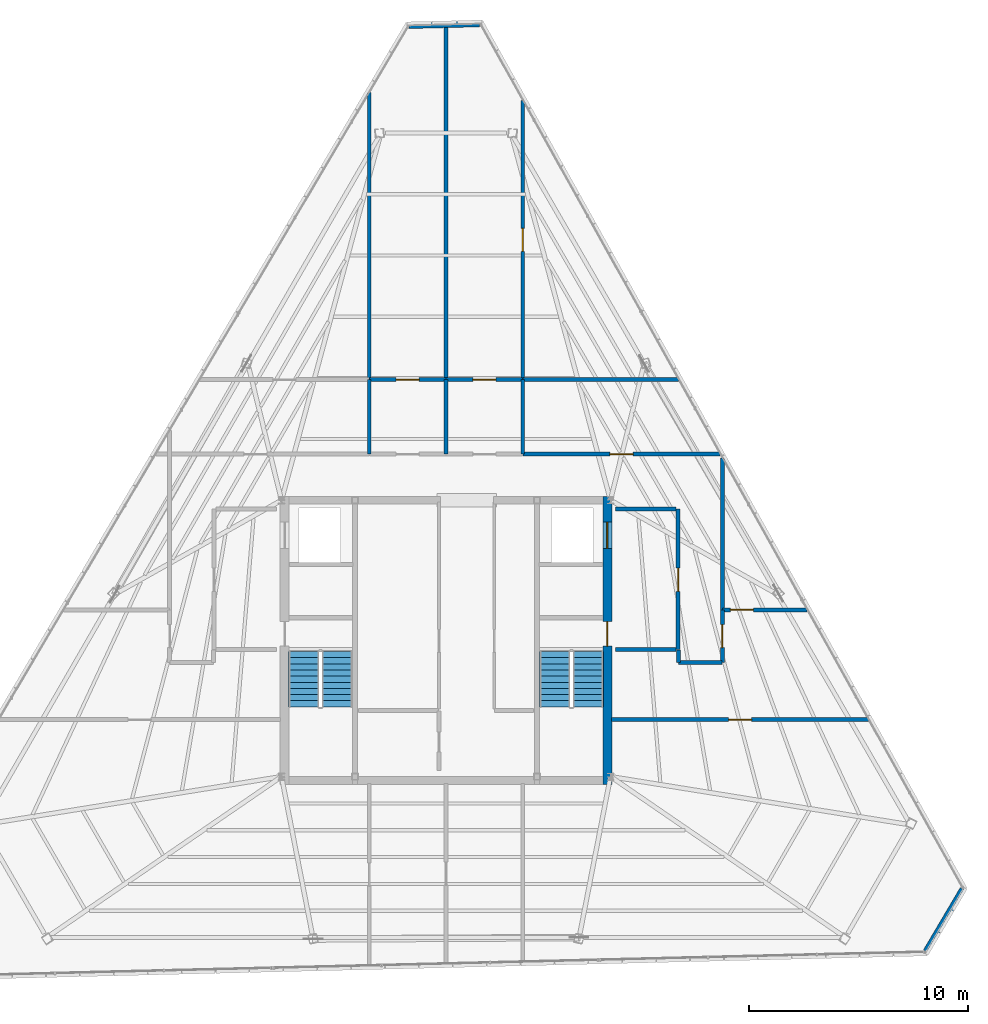
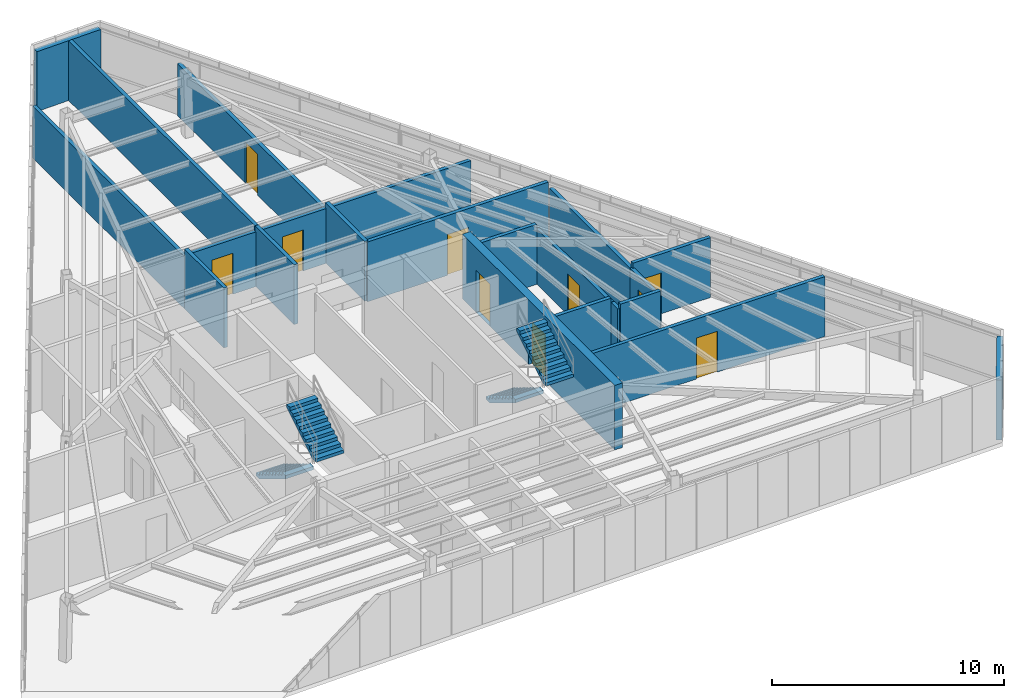
# One storey, part 41 of 44: 22 walls, 10 doors, 4 stair flights, 10 openings, 2 elements without a shape of their own.
"""IFC4 building model written with IfcOpenShell, lengths in metres."""

from ifc_helpers import new_model, si_unit, direction, frame, frame_2d, origin, place, context, subcontext, project, spatial, polyline, rectangle, outline, extrude, material, layer, layer_set, type_object, element, fill, aggregate, save


model = new_model("IFC4")

# Units and contexts
model_context = context("Model", 3, precision=1e-05, world=origin(), true_north=direction((0.0, 1.0)))
body_context = subcontext(model_context, "Body", "Model", "MODEL_VIEW")
ifc_project = project(units=[si_unit("LENGTHUNIT", "METRE"), si_unit("AREAUNIT", "SQUARE_METRE"), si_unit("VOLUMEUNIT", "CUBIC_METRE"), si_unit("PLANEANGLEUNIT", "RADIAN"), si_unit("MASSUNIT", "GRAM", prefix="KILO")], contexts=[model_context])

# Site, building, storey
site_placement = place(None, origin())
site = spatial("IfcSite", under=ifc_project, at=site_placement, CompositionType="ELEMENT")
building_placement = place(site_placement, origin())
building = spatial("IfcBuilding", under=site, at=building_placement, Name="Caelisora Broadcast Tower", CompositionType="ELEMENT")
storey_placement = place(building_placement, frame((0.0, 0.0, 289.800048828125)))
storey = spatial("IfcBuildingStorey", under=building, at=storey_placement, Name="L76", CompositionType="ELEMENT", Elevation=289.800048828125)

# Wall, openings, doors
ifc_material_1 = material(Name="Concrete 40 MPa (AS 3600 N40)", Category="concrete")
ifc_layer_1 = layer(ifc_material_1, 0.39990234375, Name="Concrete 40 MPa (AS 3600 N40)")
ifc_layer_set_1 = layer_set([ifc_layer_1], Name="Concrete 40 MPa (AS 3600 N40)")
wall_type_1 = type_object("IfcWallType", Name="CW3", PredefinedType="SHEAR", material=ifc_layer_set_1)
wall_1_placement = place(storey_placement, frame((45.360107421875, 17.050048828125, 0.0), z_axis=(0.0, 0.0, 1.0), x_axis=(0.0, 1.0, 0.0)))
wall_1 = element("IfcWall", 1, at=wall_1_placement, inside=storey, type_object=wall_type_1, Name="L76 core shear wall CW3", PredefinedType="SHEAR", context=body_context, shape_type="SweptSolid", body=[
    extrude(rectangle(XDim=13.125, YDim=0.39990234375, at=frame_2d((6.5625, 0.0))), origin(), (0.0, 0.0, 1.0), 3.39990234375),
])
opening_1_placement = place(wall_1_placement, frame((6.300048828125, 0.0, 0.0)))
opening_1 = element("IfcOpeningElement", 2, at=opening_1_placement, cuts=wall_1, Name="Opening FD04", PredefinedType="OPENING", context=body_context, shape_type="SweptSolid", body=[
    extrude(rectangle(XDim=1.1201171875, YDim=2.14990234375, at=frame_2d((0.56005859375, 1.074951171875))), frame((0.0, 0.2119140625, 0.0), z_axis=(0.0, -1.0, 0.0), x_axis=(1.0, 0.0, 0.0)), (0.0, 0.0, 1.0), 0.423828125),
])
opening_2_placement = place(wall_1_placement, frame((10.75, 0.0, 0.0)))
opening_2 = element("IfcOpeningElement", 3, at=opening_2_placement, cuts=wall_1, Name="Opening LD04", PredefinedType="OPENING", context=body_context, shape_type="SweptSolid", body=[
    extrude(rectangle(XDim=1.199951171875, YDim=2.199951171875, at=frame_2d((0.60009765625, 1.10009765625))), frame((0.0, 0.2119140625, 0.0), z_axis=(0.0, -1.0, 0.0), x_axis=(1.0, 0.0, 0.0)), (0.0, 0.0, 1.0), 0.423828125),
])
ifc_material_2 = material(Name="Pressurised Fire-Isolated Stair Door", Category="steel")
door_type_1 = type_object("IfcDoorType", Name="FD04", OperationType="NOTDEFINED", PredefinedType="DOOR", material=ifc_material_2)
door_1_placement = place(opening_1_placement, origin())
door_1 = element("IfcDoor", 4, at=door_1_placement, inside=storey, type_object=door_type_1, Name="L76 door FD04 (L76-DR-ST2)", OperationType="SINGLE_SWING_RIGHT", OverallHeight=2.14990234375, OverallWidth=1.1201171875, PredefinedType="DOOR", context=body_context, shape_type="SweptSolid", body=[
    extrude(rectangle(XDim=1.1201171875, YDim=2.14990234375, at=frame_2d((0.56005859375, 1.074951171875))), frame((0.0, 0.02490234375, 0.0), z_axis=(0.0, -1.0, 0.0), x_axis=(1.0, 0.0, 0.0)), (0.0, 0.0, 1.0), 0.050048828125),
])
fill(opening_1, door_1)
ifc_material_3 = material(Name="Emergency Firefighting Lift Sliding Landing Door", Category="steel")
door_type_2 = type_object("IfcDoorType", Name="LD04", OperationType="NOTDEFINED", PredefinedType="DOOR", material=ifc_material_3)
door_2_placement = place(opening_2_placement, origin())
door_2 = element("IfcDoor", 5, at=door_2_placement, inside=storey, type_object=door_type_2, Name="L76 door LD04 (L76-LD-FFL2)", OperationType="SLIDING_TO_RIGHT", OverallHeight=2.199951171875, OverallWidth=1.199951171875, PredefinedType="DOOR", context=body_context, shape_type="SweptSolid", body=[
    extrude(rectangle(XDim=1.199951171875, YDim=2.199951171875, at=frame_2d((0.60009765625, 1.10009765625))), frame((0.0, 0.02490234375, 0.0), z_axis=(0.0, -1.0, 0.0), x_axis=(1.0, 0.0, 0.0)), (0.0, 0.0, 1.0), 0.050048828125),
])
fill(opening_2, door_2)

# Walls
ifc_material_4 = material(Name="Fire-Rated Acoustic Plant Enclosure Wall", Category="masonry")
ifc_layer_2 = layer(ifc_material_4, 0.260009765625, Name="Fire-Rated Acoustic Plant Enclosure Wall")
ifc_layer_set_2 = layer_set([ifc_layer_2], Name="Fire-Rated Acoustic Plant Enclosure Wall")
wall_type_2 = type_object("IfcWallType", Name="EW2", PredefinedType="STANDARD", material=ifc_layer_set_2)
wall_2_placement = place(storey_placement, frame((61.5556640625, 12.271240234375, 0.0), z_axis=(0.0, 0.0, 1.0), x_axis=(-0.508766666037, -0.860904454356, 0.0)))
element("IfcWall", 6, at=wall_2_placement, inside=storey, type_object=wall_type_2, Name="L76 exterior envelope wall EW2", PredefinedType="STANDARD", context=body_context, shape_type="SweptSolid", body=[
    extrude(rectangle(XDim=3.302978515625, YDim=0.260009765625, at=frame_2d((1.6513671875, 0.0))), origin(), (0.0, 0.0, 1.0), 3.14990234375),
])
wall_3_placement = place(storey_placement, frame((36.320068359375, 51.634765625, 0.0), z_axis=(0.0, 0.0, 1.0), x_axis=(0.999693500511, 0.024756918958, 0.0)))
element("IfcWall", 7, at=wall_3_placement, inside=storey, type_object=wall_type_2, Name="L76 exterior envelope wall EW2", PredefinedType="STANDARD", context=body_context, shape_type="SweptSolid", body=[
    extrude(rectangle(XDim=3.21484375, YDim=0.260009765625, at=frame_2d((1.607421875, 0.0))), origin(), (0.0, 0.0, 1.0), 3.14990234375),
])

# Wall, opening, door
ifc_material_5 = material(Name="Fire-Rated Gypsum Shaft and Compartment Wall", Category="gypsum")
ifc_layer_3 = layer(ifc_material_5, 0.179931640625, Name="Fire-Rated Gypsum Shaft and Compartment Wall")
ifc_layer_set_3 = layer_set([ifc_layer_3], Name="Fire-Rated Gypsum Shaft and Compartment Wall")
wall_type_3 = type_object("IfcWallType", Name="PW2", PredefinedType="PARTITIONING", material=ifc_layer_set_3)
wall_4_placement = place(storey_placement, frame((48.580078125, 23.199951171875, 0.0), z_axis=(0.0, 0.0, 1.0), x_axis=(0.0, 1.0, 0.0)))
wall_4 = element("IfcWall", 8, at=wall_4_placement, inside=storey, type_object=wall_type_3, Name="L76 fire compartment wall PW2", PredefinedType="PARTITIONING", context=body_context, shape_type="SweptSolid", body=[
    extrude(rectangle(XDim=6.400146484375, YDim=0.179931640625, at=frame_2d((3.2001953125, 0.0))), origin(), (0.0, 0.0, 1.0), 2.878662109375),
])
opening_3_placement = place(wall_4_placement, frame((2.64990234375, 0.0, 0.0)))
opening_3 = element("IfcOpeningElement", 9, at=opening_3_placement, cuts=wall_4, Name="Opening FD02", PredefinedType="OPENING", context=body_context, shape_type="SweptSolid", body=[
    extrude(rectangle(XDim=1.050048828125, YDim=2.14990234375, at=frame_2d((0.52490234375, 1.074951171875))), frame((0.0, 0.10205078125, 0.0), z_axis=(0.0, -1.0, 0.0), x_axis=(1.0, 0.0, 0.0)), (0.0, 0.0, 1.0), 0.203857421875),
])
ifc_material_6 = material(Name="Single-Leaf Steel Fire Lobby Door", Category="steel")
door_type_3 = type_object("IfcDoorType", Name="FD02", OperationType="NOTDEFINED", PredefinedType="DOOR", material=ifc_material_6)
door_3_placement = place(opening_3_placement, origin())
door_3 = element("IfcDoor", 10, at=door_3_placement, inside=storey, type_object=door_type_3, Name="L76 door FD02 (L76-DR-P04D1)", OperationType="SINGLE_SWING_RIGHT", OverallHeight=2.14990234375, OverallWidth=1.050048828125, PredefinedType="DOOR", context=body_context, shape_type="SweptSolid", body=[
    extrude(rectangle(XDim=1.050048828125, YDim=2.14990234375, at=frame_2d((0.52490234375, 1.074951171875))), frame((0.0, 0.02490234375, 0.0), z_axis=(0.0, -1.0, 0.0), x_axis=(1.0, 0.0, 0.0)), (0.0, 0.0, 1.0), 0.050048828125),
])
fill(opening_3, door_3)

# Walls
for number, where, z_axis, x_axis, name in (
    (11, (45.719970703125, 23.199951171875, 0.0), (0.0, 0.0, 1.0), (1.0, 0.0, 0.0), "L76 fire compartment wall PW2"),
    (12, (45.719970703125, 29.60009765625, 0.0), (0.0, 0.0, 1.0), (1.0, 0.0, 0.0), "L76 fire compartment wall PW2"),
):
    element("IfcWall", number, at=place(storey_placement, frame(where, z_axis=z_axis, x_axis=x_axis)), inside=storey, type_object=wall_type_3, Name=name, PredefinedType="PARTITIONING", context=body_context, shape_type="SweptSolid", body=[
        extrude(rectangle(XDim=2.760009765625, YDim=0.179931640625, at=frame_2d((1.3798828125, 0.0))), origin(), (0.0, 0.0, 1.0), 3.14990234375),
    ])
wall_5_placement = place(storey_placement, frame((38.0, 35.5048828125, 0.0), z_axis=(0.0, 0.0, 1.0), x_axis=(0.0, 1.0, 0.0)))
element("IfcWall", 13, at=wall_5_placement, inside=storey, type_object=wall_type_3, Name="L76 fire compartment wall PW2", PredefinedType="PARTITIONING", context=body_context, shape_type="SweptSolid", body=[
    extrude(rectangle(XDim=16.1650390625, YDim=0.179931640625, at=frame_2d((8.08251953125, 0.0))), origin(), (0.0, 0.0, 1.0), 3.14990234375),
])
wall_6_placement = place(storey_placement, frame((34.5, 35.5048828125, 0.0), z_axis=(0.0, 0.0, 1.0), x_axis=(0.0, 1.0, 0.0)))
element("IfcWall", 14, at=wall_6_placement, inside=storey, type_object=wall_type_3, Name="L76 fire compartment wall PW2", PredefinedType="PARTITIONING", context=body_context, shape_type="SweptSolid", body=[
    extrude(rectangle(XDim=13.085205078125, YDim=0.179931640625, at=frame_2d((6.54248046875, 0.0))), origin(), (0.0, 0.0, 1.0), 2.73486328125),
])

# Wall, opening, door
wall_7_placement = place(storey_placement, frame((41.5, 35.5048828125, 0.0), z_axis=(0.0, 0.0, 1.0), x_axis=(0.0, 1.0, 0.0)))
wall_7 = element("IfcWall", 15, at=wall_7_placement, inside=storey, type_object=wall_type_3, Name="L76 fire compartment wall PW2", PredefinedType="PARTITIONING", context=body_context, shape_type="SweptSolid", body=[
    extrude(rectangle(XDim=12.72509765625, YDim=0.179931640625, at=frame_2d((6.362548828125, 0.0))), origin(), (0.0, 0.0, 1.0), 2.73486328125),
])
opening_4_placement = place(wall_7_placement, frame((5.8369140625, 0.0, 0.0)))
opening_4 = element("IfcOpeningElement", 16, at=opening_4_placement, cuts=wall_7, Name="Opening FD02", PredefinedType="OPENING", context=body_context, shape_type="SweptSolid", body=[
    extrude(rectangle(XDim=1.050048828125, YDim=2.14990234375, at=frame_2d((0.52490234375, 1.074951171875))), frame((0.0, 0.10205078125, 0.0), z_axis=(0.0, -1.0, 0.0), x_axis=(1.0, 0.0, 0.0)), (0.0, 0.0, 1.0), 0.203857421875),
])
door_4_placement = place(opening_4_placement, origin())
door_4 = element("IfcDoor", 17, at=door_4_placement, inside=storey, type_object=door_type_3, Name="L76 door FD02 (L76-DR-P17D1)", OperationType="SINGLE_SWING_LEFT", OverallHeight=2.14990234375, OverallWidth=1.050048828125, PredefinedType="DOOR", context=body_context, shape_type="SweptSolid", body=[
    extrude(rectangle(XDim=1.050048828125, YDim=2.14990234375, at=frame_2d((0.52490234375, 1.074951171875))), frame((0.0, 0.02490234375, 0.0), z_axis=(0.0, -1.0, 0.0), x_axis=(1.0, 0.0, 0.0)), (0.0, 0.0, 1.0), 0.050048828125),
])
fill(opening_4, door_4)

wall_8_placement = place(storey_placement, frame((45.554931640625, 20.0, 0.0), z_axis=(0.0, 0.0, 1.0), x_axis=(1.0, 0.0, 0.0)))
wall_8 = element("IfcWall", 18, at=wall_8_placement, inside=storey, type_object=wall_type_3, Name="L76 fire compartment wall PW2", PredefinedType="PARTITIONING", context=body_context, shape_type="SweptSolid", body=[
    extrude(rectangle(XDim=11.705078125, YDim=0.179931640625, at=frame_2d((5.8525390625, 0.0))), origin(), (0.0, 0.0, 1.0), 3.14990234375),
])
opening_5_placement = place(wall_8_placement, frame((5.326904296875, 0.0, 0.0)))
opening_5 = element("IfcOpeningElement", 19, at=opening_5_placement, cuts=wall_8, Name="Opening FD02", PredefinedType="OPENING", context=body_context, shape_type="SweptSolid", body=[
    extrude(rectangle(XDim=1.050048828125, YDim=2.14990234375, at=frame_2d((0.52490234375, 1.074951171875))), frame((0.0, 0.10205078125, 0.0), z_axis=(0.0, -1.0, 0.0), x_axis=(1.0, 0.0, 0.0)), (0.0, 0.0, 1.0), 0.203857421875),
])
door_5_placement = place(opening_5_placement, origin())
door_5 = element("IfcDoor", 20, at=door_5_placement, inside=storey, type_object=door_type_3, Name="L76 door FD02 (L76-DR-P18D1)", OperationType="SINGLE_SWING_RIGHT", OverallHeight=2.14990234375, OverallWidth=1.050048828125, PredefinedType="DOOR", context=body_context, shape_type="SweptSolid", body=[
    extrude(rectangle(XDim=1.050048828125, YDim=2.14990234375, at=frame_2d((0.52490234375, 1.074951171875))), frame((0.0, 0.02490234375, 0.0), z_axis=(0.0, -1.0, 0.0), x_axis=(1.0, 0.0, 0.0)), (0.0, 0.0, 1.0), 0.050048828125),
])
fill(opening_5, door_5)

wall_9_placement = place(storey_placement, frame((41.5048828125, 32.10009765625, 0.0), z_axis=(0.0, 0.0, 1.0), x_axis=(1.0, 0.0, 0.0)))
wall_9 = element("IfcWall", 21, at=wall_9_placement, inside=storey, type_object=wall_type_3, Name="L76 fire compartment wall PW2", PredefinedType="PARTITIONING", context=body_context, shape_type="SweptSolid", body=[
    extrude(rectangle(XDim=8.9951171875, YDim=0.179931640625, at=frame_2d((4.49755859375, 0.0))), origin(), (0.0, 0.0, 1.0), 3.14990234375),
])
opening_6_placement = place(wall_9_placement, frame((3.971923828125, 0.0, 0.0)))
opening_6 = element("IfcOpeningElement", 22, at=opening_6_placement, cuts=wall_9, Name="Opening FD02", PredefinedType="OPENING", context=body_context, shape_type="SweptSolid", body=[
    extrude(rectangle(XDim=1.050048828125, YDim=2.14990234375, at=frame_2d((0.52490234375, 1.074951171875))), frame((0.0, 0.10205078125, 0.0), z_axis=(0.0, -1.0, 0.0), x_axis=(1.0, 0.0, 0.0)), (0.0, 0.0, 1.0), 0.203857421875),
])
door_6_placement = place(opening_6_placement, origin())
door_6 = element("IfcDoor", 23, at=door_6_placement, inside=storey, type_object=door_type_3, Name="L76 door FD02 (L76-DR-P20D1)", OperationType="SINGLE_SWING_RIGHT", OverallHeight=2.14990234375, OverallWidth=1.050048828125, PredefinedType="DOOR", context=body_context, shape_type="SweptSolid", body=[
    extrude(rectangle(XDim=1.050048828125, YDim=2.14990234375, at=frame_2d((0.52490234375, 1.074951171875))), frame((0.0, 0.02490234375, 0.0), z_axis=(0.0, -1.0, 0.0), x_axis=(1.0, 0.0, 0.0)), (0.0, 0.0, 1.0), 0.050048828125),
])
fill(opening_6, door_6)

# Walls
wall_10_placement = place(storey_placement, frame((41.5048828125, 35.5, 0.0), z_axis=(0.0, 0.0, 1.0), x_axis=(1.0, 0.0, 0.0)))
element("IfcWall", 24, at=wall_10_placement, inside=storey, type_object=wall_type_3, Name="L76 fire compartment wall PW2", PredefinedType="PARTITIONING", context=body_context, shape_type="SweptSolid", body=[
    extrude(rectangle(XDim=7.105224609375, YDim=0.179931640625, at=frame_2d((3.552734375, 0.0))), origin(), (0.0, 0.0, 1.0), 2.878662109375),
])
wall_11_placement = place(storey_placement, frame((50.60009765625, 25.0048828125, 0.0), z_axis=(0.0, 0.0, 1.0), x_axis=(0.0, 1.0, 0.0)))
element("IfcWall", 25, at=wall_11_placement, inside=storey, type_object=wall_type_3, Name="L76 fire compartment wall PW2", PredefinedType="PARTITIONING", context=body_context, shape_type="SweptSolid", body=[
    extrude(rectangle(XDim=6.925048828125, YDim=0.179931640625, at=frame_2d((3.46240234375, 0.0))), origin(), (0.0, 0.0, 1.0), 2.878662109375),
])

# Wall, opening, door
wall_12_placement = place(storey_placement, frame((50.60498046875, 25.0, 0.0), z_axis=(0.0, 0.0, 1.0), x_axis=(1.0, 0.0, 0.0)))
wall_12 = element("IfcWall", 26, at=wall_12_placement, inside=storey, type_object=wall_type_3, Name="L76 fire compartment wall PW2", PredefinedType="PARTITIONING", context=body_context, shape_type="SweptSolid", body=[
    extrude(rectangle(XDim=3.864990234375, YDim=0.179931640625, at=frame_2d((1.9326171875, 0.0))), origin(), (0.0, 0.0, 1.0), 3.14990234375),
])
opening_7_placement = place(wall_12_placement, frame((0.360107421875, 0.0, 0.0)))
opening_7 = element("IfcOpeningElement", 27, at=opening_7_placement, cuts=wall_12, Name="Opening FD02", PredefinedType="OPENING", context=body_context, shape_type="SweptSolid", body=[
    extrude(rectangle(XDim=1.050048828125, YDim=2.14990234375, at=frame_2d((0.52490234375, 1.074951171875))), frame((0.0, 0.10205078125, 0.0), z_axis=(0.0, -1.0, 0.0), x_axis=(1.0, 0.0, 0.0)), (0.0, 0.0, 1.0), 0.203857421875),
])
door_7_placement = place(opening_7_placement, origin())
door_7 = element("IfcDoor", 28, at=door_7_placement, inside=storey, type_object=door_type_3, Name="L76 door FD02 (L76-DR-P29D1)", OperationType="SINGLE_SWING_RIGHT", OverallHeight=2.14990234375, OverallWidth=1.050048828125, PredefinedType="DOOR", context=body_context, shape_type="SweptSolid", body=[
    extrude(rectangle(XDim=1.050048828125, YDim=2.14990234375, at=frame_2d((0.52490234375, 1.074951171875))), frame((0.0, 0.02490234375, 0.0), z_axis=(0.0, -1.0, 0.0), x_axis=(1.0, 0.0, 0.0)), (0.0, 0.0, 1.0), 0.050048828125),
])
fill(opening_7, door_7)

wall_13_placement = place(storey_placement, frame((34.5048828125, 35.5, 0.0), z_axis=(0.0, 0.0, 1.0), x_axis=(1.0, 0.0, 0.0)))
wall_13 = element("IfcWall", 29, at=wall_13_placement, inside=storey, type_object=wall_type_3, Name="L76 fire compartment wall PW2", PredefinedType="PARTITIONING", context=body_context, shape_type="SweptSolid", body=[
    extrude(rectangle(XDim=3.490234375, YDim=0.179931640625, at=frame_2d((1.7451171875, 0.0))), origin(), (0.0, 0.0, 1.0), 2.878662109375),
])
opening_8_placement = place(wall_13_placement, frame((1.219970703125, 0.0, 0.0)))
opening_8 = element("IfcOpeningElement", 30, at=opening_8_placement, cuts=wall_13, Name="Opening FD02", PredefinedType="OPENING", context=body_context, shape_type="SweptSolid", body=[
    extrude(rectangle(XDim=1.050048828125, YDim=2.14990234375, at=frame_2d((0.52490234375, 1.074951171875))), frame((0.0, 0.10205078125, 0.0), z_axis=(0.0, -1.0, 0.0), x_axis=(1.0, 0.0, 0.0)), (0.0, 0.0, 1.0), 0.203857421875),
])
door_8_placement = place(opening_8_placement, origin())
door_8 = element("IfcDoor", 31, at=door_8_placement, inside=storey, type_object=door_type_3, Name="L76 door FD02 (L76-DR-P32D1)", OperationType="SINGLE_SWING_LEFT", OverallHeight=2.14990234375, OverallWidth=1.050048828125, PredefinedType="DOOR", context=body_context, shape_type="SweptSolid", body=[
    extrude(rectangle(XDim=1.050048828125, YDim=2.14990234375, at=frame_2d((0.52490234375, 1.074951171875))), frame((0.0, 0.02490234375, 0.0), z_axis=(0.0, -1.0, 0.0), x_axis=(1.0, 0.0, 0.0)), (0.0, 0.0, 1.0), 0.050048828125),
])
fill(opening_8, door_8)

wall_14_placement = place(storey_placement, frame((38.0048828125, 35.5, 0.0), z_axis=(0.0, 0.0, 1.0), x_axis=(1.0, 0.0, 0.0)))
wall_14 = element("IfcWall", 32, at=wall_14_placement, inside=storey, type_object=wall_type_3, Name="L76 fire compartment wall PW2", PredefinedType="PARTITIONING", context=body_context, shape_type="SweptSolid", body=[
    extrude(rectangle(XDim=3.490234375, YDim=0.179931640625, at=frame_2d((1.7451171875, 0.0))), origin(), (0.0, 0.0, 1.0), 2.878662109375),
])
opening_9_placement = place(wall_14_placement, frame((1.219970703125, 0.0, 0.0)))
opening_9 = element("IfcOpeningElement", 33, at=opening_9_placement, cuts=wall_14, Name="Opening FD02", PredefinedType="OPENING", context=body_context, shape_type="SweptSolid", body=[
    extrude(rectangle(XDim=1.050048828125, YDim=2.14990234375, at=frame_2d((0.52490234375, 1.074951171875))), frame((0.0, 0.10205078125, 0.0), z_axis=(0.0, -1.0, 0.0), x_axis=(1.0, 0.0, 0.0)), (0.0, 0.0, 1.0), 0.203857421875),
])
door_9_placement = place(opening_9_placement, origin())
door_9 = element("IfcDoor", 34, at=door_9_placement, inside=storey, type_object=door_type_3, Name="L76 door FD02 (L76-DR-P33D1)", OperationType="SINGLE_SWING_RIGHT", OverallHeight=2.14990234375, OverallWidth=1.050048828125, PredefinedType="DOOR", context=body_context, shape_type="SweptSolid", body=[
    extrude(rectangle(XDim=1.050048828125, YDim=2.14990234375, at=frame_2d((0.52490234375, 1.074951171875))), frame((0.0, 0.02490234375, 0.0), z_axis=(0.0, -1.0, 0.0), x_axis=(1.0, 0.0, 0.0)), (0.0, 0.0, 1.0), 0.050048828125),
])
fill(opening_9, door_9)

# Walls
for number, where, z_axis, x_axis, name in (
    (35, (34.5, 32.10498046875, 0.0), (0.0, 0.0, 1.0), (0.0, 1.0, 0.0), "L76 fire compartment wall PW2"),
    (36, (38.0, 32.10498046875, 0.0), (0.0, 0.0, 1.0), (0.0, 1.0, 0.0), "L76 fire compartment wall PW2"),
    (37, (41.5, 32.10498046875, 0.0), (0.0, 0.0, 1.0), (0.0, 1.0, 0.0), "L76 fire compartment wall PW2"),
):
    element("IfcWall", number, at=place(storey_placement, frame(where, z_axis=z_axis, x_axis=x_axis)), inside=storey, type_object=wall_type_3, Name=name, PredefinedType="PARTITIONING", context=body_context, shape_type="SweptSolid", body=[
        extrude(rectangle(XDim=3.39013671875, YDim=0.179931640625, at=frame_2d((1.695068359375, 0.0))), origin(), (0.0, 0.0, 1.0), 3.14990234375),
    ])

# Wall, opening, door
wall_15_placement = place(storey_placement, frame((50.60009765625, 22.60498046875, 0.0), z_axis=(0.0, 0.0, 1.0), x_axis=(0.0, 1.0, 0.0)))
wall_15 = element("IfcWall", 38, at=wall_15_placement, inside=storey, type_object=wall_type_3, Name="L76 fire compartment wall PW2", PredefinedType="PARTITIONING", context=body_context, shape_type="SweptSolid", body=[
    extrude(rectangle(XDim=2.39013671875, YDim=0.179931640625, at=frame_2d((1.195068359375, 0.0))), origin(), (0.0, 0.0, 1.0), 2.878662109375),
])
opening_10_placement = place(wall_15_placement, frame((0.669921875, 0.0, 0.0)))
opening_10 = element("IfcOpeningElement", 39, at=opening_10_placement, cuts=wall_15, Name="Opening FD02", PredefinedType="OPENING", context=body_context, shape_type="SweptSolid", body=[
    extrude(rectangle(XDim=1.050048828125, YDim=2.14990234375, at=frame_2d((0.52490234375, 1.074951171875))), frame((0.0, 0.10205078125, 0.0), z_axis=(0.0, -1.0, 0.0), x_axis=(1.0, 0.0, 0.0)), (0.0, 0.0, 1.0), 0.203857421875),
])
door_10_placement = place(opening_10_placement, origin())
door_10 = element("IfcDoor", 40, at=door_10_placement, inside=storey, type_object=door_type_3, Name="L76 door FD02 (L76-DR-P39D1)", OperationType="SINGLE_SWING_LEFT", OverallHeight=2.14990234375, OverallWidth=1.050048828125, PredefinedType="DOOR", context=body_context, shape_type="SweptSolid", body=[
    extrude(rectangle(XDim=1.050048828125, YDim=2.14990234375, at=frame_2d((0.52490234375, 1.074951171875))), frame((0.0, 0.02490234375, 0.0), z_axis=(0.0, -1.0, 0.0), x_axis=(1.0, 0.0, 0.0)), (0.0, 0.0, 1.0), 0.050048828125),
])
fill(opening_10, door_10)

# Walls
wall_16_placement = place(storey_placement, frame((48.60498046875, 22.60009765625, 0.0), z_axis=(0.0, 0.0, 1.0), x_axis=(1.0, 0.0, 0.0)))
element("IfcWall", 41, at=wall_16_placement, inside=storey, type_object=wall_type_3, Name="L76 fire compartment wall PW2", PredefinedType="PARTITIONING", context=body_context, shape_type="SweptSolid", body=[
    extrude(rectangle(XDim=1.989990234375, YDim=0.179931640625, at=frame_2d((0.9951171875, 0.0))), origin(), (0.0, 0.0, 1.0), 3.14990234375),
])
wall_17_placement = place(storey_placement, frame((48.60009765625, 23.175048828125, 0.0), z_axis=(0.0, 0.0, 1.0), x_axis=(0.0, -1.0, 0.0)))
element("IfcWall", 42, at=wall_17_placement, inside=storey, type_object=wall_type_3, Name="L76 fire compartment wall PW2", PredefinedType="PARTITIONING", context=body_context, shape_type="SweptSolid", body=[
    extrude(rectangle(XDim=0.570068359375, YDim=0.179931640625, at=frame_2d((0.28515625, 0.0))), origin(), (0.0, 0.0, 1.0), 2.878662109375),
])

# Stair, stair flights
stair_type_1 = type_object("IfcStairType", Name="ST-1", PredefinedType="HALF_TURN_STAIR", material=ifc_material_1)
stair_1_placement = place(storey_placement, origin())
stair_1 = element("IfcStair", 43, at=stair_1_placement, inside=storey, type_object=stair_type_1, Name="L76 West Fire-Isolated Tower Stair", PredefinedType="HALF_TURN_STAIR")
stair_flight_type = type_object("IfcStairFlightType", Name="STF-4", PredefinedType="STRAIGHT", material=ifc_material_1)
stair_flight_1_placement = place(storey_placement, frame((31.52001953125, 23.10009765625, 0.0), z_axis=(0.0, 0.0, 1.0), x_axis=(0.0, -1.0, 0.0)))
stair_flight_1 = element("IfcStairFlight", 44, at=stair_flight_1_placement, type_object=stair_flight_type, Name="ST-1 flight 1", NumberOfRisers=10, NumberOfTreads=9, PredefinedType="STRAIGHT", RiserHeight=0.17, TreadLength=0.28, context=body_context, shape_type="SweptSolid", body=[
    extrude(outline(polyline([(0.0, 0.0), (0.0, 0.169921875), (0.280029296875, 0.169921875), (0.280029296875, 0.340087890625), (0.56005859375, 0.340087890625), (0.56005859375, 0.510009765625), (0.840087890625, 0.510009765625), (0.840087890625, 0.679931640625), (1.1201171875, 0.679931640625), (1.1201171875, 0.85009765625), (1.39990234375, 0.85009765625), (1.39990234375, 1.02001953125), (1.679931640625, 1.02001953125), (1.679931640625, 1.18994140625), (1.9599609375, 1.18994140625), (1.9599609375, 1.360107421875), (2.239990234375, 1.360107421875), (2.239990234375, 1.530029296875), (2.52001953125, 1.530029296875), (2.52001953125, 1.699951171875), (2.52001953125, 1.354736328125), (0.288818359375, 0.0), (0.0, 0.0)])), frame((0.0, 0.699951171875, 0.0), z_axis=(0.0, -1.0, 0.0), x_axis=(1.0, 0.0, 0.0)), (0.0, 0.0, 1.0), 1.39990234375),
])
stair_flight_2_placement = place(storey_placement, frame((33.0400390625, 20.580078125, 1.699951171875), z_axis=(0.0, 0.0, 1.0), x_axis=(0.0, 1.0, 0.0)))
stair_flight_2 = element("IfcStairFlight", 45, at=stair_flight_2_placement, type_object=stair_flight_type, Name="ST-1 flight 2", NumberOfRisers=10, NumberOfTreads=9, PredefinedType="STRAIGHT", RiserHeight=0.17, TreadLength=0.28, context=body_context, shape_type="SweptSolid", body=[
    extrude(outline(polyline([(0.0, 0.0), (0.0, 0.169921875), (0.280029296875, 0.169921875), (0.280029296875, 0.340087890625), (0.56005859375, 0.340087890625), (0.56005859375, 0.510009765625), (0.840087890625, 0.510009765625), (0.840087890625, 0.679931640625), (1.1201171875, 0.679931640625), (1.1201171875, 0.85009765625), (1.39990234375, 0.85009765625), (1.39990234375, 1.02001953125), (1.679931640625, 1.02001953125), (1.679931640625, 1.18994140625), (1.9599609375, 1.18994140625), (1.9599609375, 1.360107421875), (2.239990234375, 1.360107421875), (2.239990234375, 1.530029296875), (2.52001953125, 1.530029296875), (2.52001953125, 1.699951171875), (2.52001953125, 1.354736328125), (0.288818359375, 0.0), (0.0, 0.0)])), frame((0.0, 0.699951171875, 0.0), z_axis=(0.0, -1.0, 0.0), x_axis=(1.0, 0.0, 0.0)), (0.0, 0.0, 1.0), 1.39990234375),
])
aggregate(stair_1, [stair_flight_1, stair_flight_2])

stair_type_2 = type_object("IfcStairType", Name="ST-2", PredefinedType="HALF_TURN_STAIR", material=ifc_material_1)
stair_2_placement = place(storey_placement, origin())
stair_2 = element("IfcStair", 46, at=stair_2_placement, inside=storey, type_object=stair_type_2, Name="L76 East Fire-Isolated Tower Stair", PredefinedType="HALF_TURN_STAIR")
stair_flight_3_placement = place(storey_placement, frame((42.9599609375, 23.10009765625, 0.0), z_axis=(0.0, 0.0, 1.0), x_axis=(0.0, -1.0, 0.0)))
stair_flight_3 = element("IfcStairFlight", 47, at=stair_flight_3_placement, type_object=stair_flight_type, Name="ST-2 flight 1", NumberOfRisers=10, NumberOfTreads=9, PredefinedType="STRAIGHT", RiserHeight=0.17, TreadLength=0.28, context=body_context, shape_type="SweptSolid", body=[
    extrude(outline(polyline([(0.0, 0.0), (0.0, 0.169921875), (0.280029296875, 0.169921875), (0.280029296875, 0.340087890625), (0.56005859375, 0.340087890625), (0.56005859375, 0.510009765625), (0.840087890625, 0.510009765625), (0.840087890625, 0.679931640625), (1.1201171875, 0.679931640625), (1.1201171875, 0.85009765625), (1.39990234375, 0.85009765625), (1.39990234375, 1.02001953125), (1.679931640625, 1.02001953125), (1.679931640625, 1.18994140625), (1.9599609375, 1.18994140625), (1.9599609375, 1.360107421875), (2.239990234375, 1.360107421875), (2.239990234375, 1.530029296875), (2.52001953125, 1.530029296875), (2.52001953125, 1.699951171875), (2.52001953125, 1.354736328125), (0.288818359375, 0.0), (0.0, 0.0)])), frame((0.0, 0.699951171875, 0.0), z_axis=(0.0, -1.0, 0.0), x_axis=(1.0, 0.0, 0.0)), (0.0, 0.0, 1.0), 1.39990234375),
])
stair_flight_4_placement = place(storey_placement, frame((44.47998046875, 20.580078125, 1.699951171875), z_axis=(0.0, 0.0, 1.0), x_axis=(0.0, 1.0, 0.0)))
stair_flight_4 = element("IfcStairFlight", 48, at=stair_flight_4_placement, type_object=stair_flight_type, Name="ST-2 flight 2", NumberOfRisers=10, NumberOfTreads=9, PredefinedType="STRAIGHT", RiserHeight=0.17, TreadLength=0.28, context=body_context, shape_type="SweptSolid", body=[
    extrude(outline(polyline([(0.0, 0.0), (0.0, 0.169921875), (0.280029296875, 0.169921875), (0.280029296875, 0.340087890625), (0.56005859375, 0.340087890625), (0.56005859375, 0.510009765625), (0.840087890625, 0.510009765625), (0.840087890625, 0.679931640625), (1.1201171875, 0.679931640625), (1.1201171875, 0.85009765625), (1.39990234375, 0.85009765625), (1.39990234375, 1.02001953125), (1.679931640625, 1.02001953125), (1.679931640625, 1.18994140625), (1.9599609375, 1.18994140625), (1.9599609375, 1.360107421875), (2.239990234375, 1.360107421875), (2.239990234375, 1.530029296875), (2.52001953125, 1.530029296875), (2.52001953125, 1.699951171875), (2.52001953125, 1.354736328125), (0.288818359375, 0.0), (0.0, 0.0)])), frame((0.0, 0.699951171875, 0.0), z_axis=(0.0, -1.0, 0.0), x_axis=(1.0, 0.0, 0.0)), (0.0, 0.0, 1.0), 1.39990234375),
])
aggregate(stair_2, [stair_flight_3, stair_flight_4])

save(model, "model.ifc")
